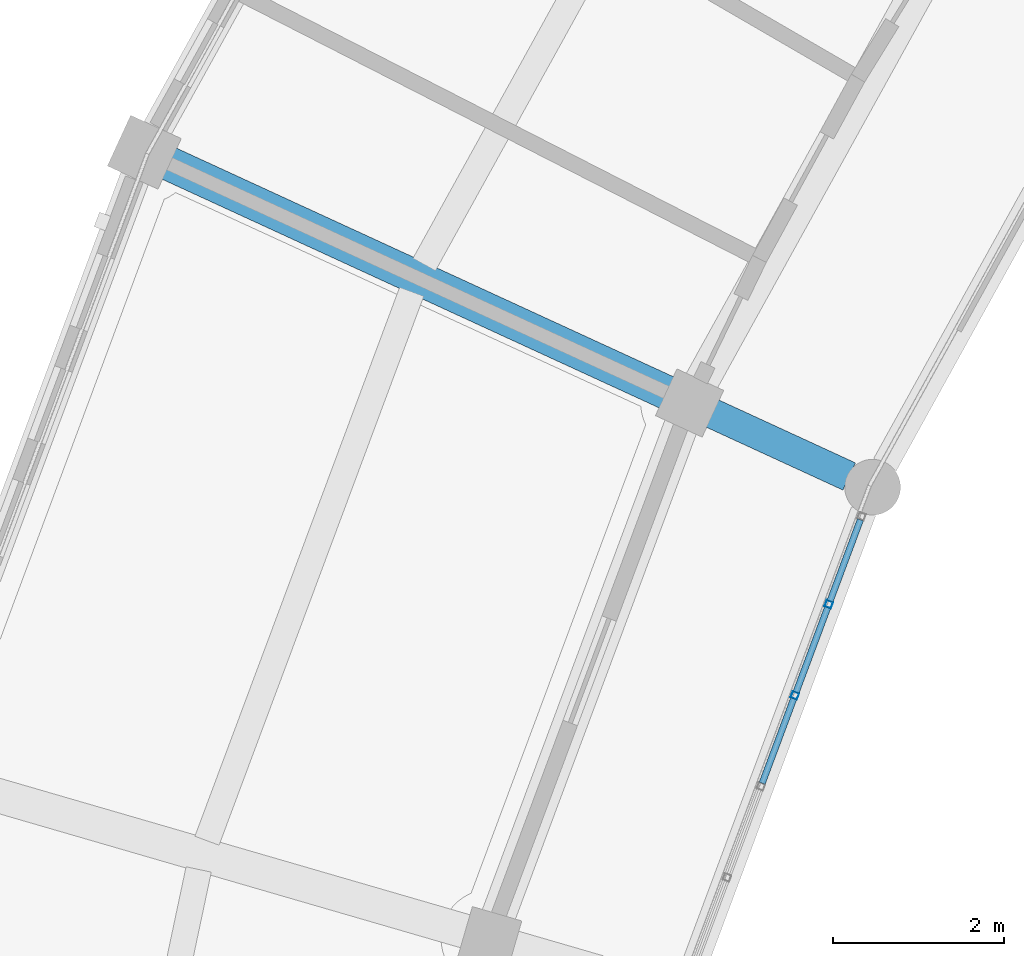
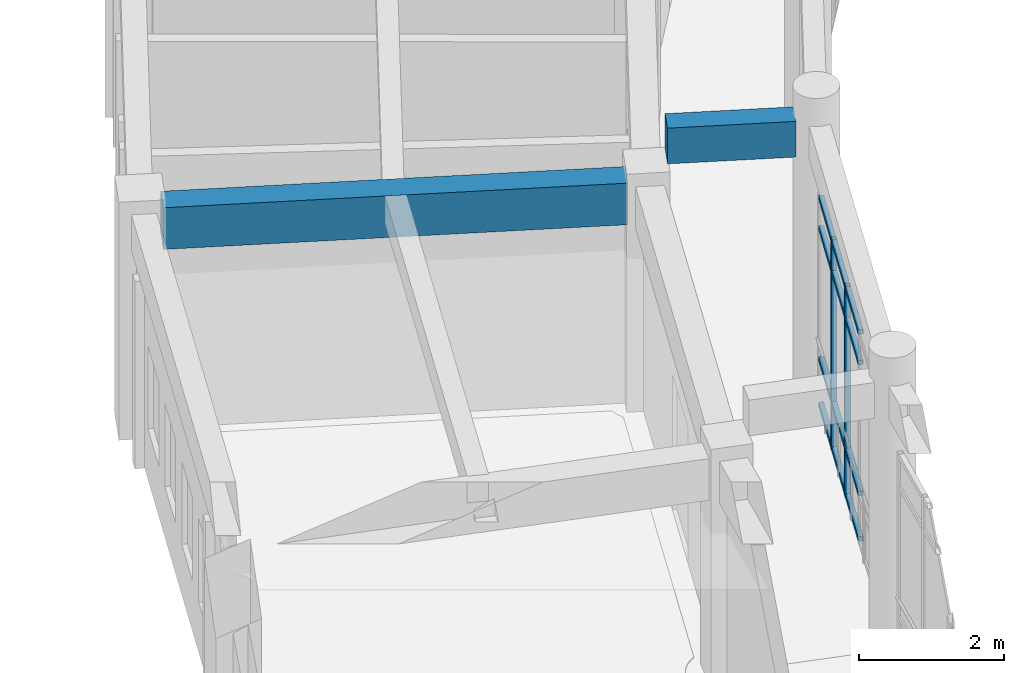
# One storey, part 61 of 159: 14 members, 2 beams, 1 element without a shape of its own.
"""IFC4 building model written with IfcOpenShell, lengths in metres."""

from ifc_helpers import new_model, si_unit, direction, frame, origin, origin_2d, place, context, subcontext, project, spatial, rectangle, hollow_rectangle, extrude, material, material_profile, profile_set, type_object, element, aggregate, save


model = new_model("IFC4")

# Units and contexts
model_context = context("Model", 3, precision=1e-05, world=origin(), true_north=direction((0.0, 1.0)))
body_context = subcontext(model_context, "Body", "Model", "MODEL_VIEW")
ifc_project = project(units=[si_unit("LENGTHUNIT", "METRE"), si_unit("AREAUNIT", "SQUARE_METRE"), si_unit("VOLUMEUNIT", "CUBIC_METRE"), si_unit("PLANEANGLEUNIT", "RADIAN"), si_unit("MASSUNIT", "GRAM", prefix="KILO")], contexts=[model_context])

# Site, building, storey
site_placement = place(None, origin())
site = spatial("IfcSite", under=ifc_project, at=site_placement, CompositionType="ELEMENT")
building_placement = place(site_placement, origin())
building = spatial("IfcBuilding", under=site, at=building_placement, Name="Celadon Cloister-Ring School", CompositionType="ELEMENT")
storey_placement = place(building_placement, frame((0.0, 0.0, 4.5)))
storey = spatial("IfcBuildingStorey", under=building, at=storey_placement, Name="L01", CompositionType="ELEMENT", Elevation=4.5)

# Beam
ifc_material_1 = material(Name="Concrete C35/45", Category="concrete")
ifc_material_profile_1 = material_profile(ifc_material_1, rectangle(XDim=0.35009765625, YDim=0.60009765625, at=origin_2d()), Name="RC350X600")
ifc_profile_set_1 = profile_set([ifc_material_profile_1], Name="Concrete C35/45")
beam_type_1 = type_object("IfcBeamType", Name="BT-02", PredefinedType="BEAM", material=ifc_profile_set_1)
beam_1_placement = place(storey_placement, frame((46.365966796875, 77.68603515625, 4.35009765625), z_axis=(0.908405818114, -0.418089547365, 0.0), x_axis=(0.418089547365, 0.908405818114, 0.0)))
element("IfcBeam", 1, at=beam_1_placement, inside=storey, type_object=beam_type_1, Name="Beam 0208", PredefinedType="BEAM", context=body_context, shape_type="SweptSolid", body=[
    extrude(rectangle(XDim=0.35009765625, YDim=0.60009765625, at=origin_2d()), origin(), (0.0, 0.0, 1.0), 1.774658203125),
])

# Curtain wall, members
ifc_material_2 = material(Name="Aluminium EN AW-6063 T6", Category="aluminium")
curtain_wall_type = type_object("IfcCurtainWallType", Name="CW-01", PredefinedType="USERDEFINED", material=ifc_material_2)
curtain_wall_placement = place(storey_placement, origin())
curtain_wall = element("IfcCurtainWall", 2, at=curtain_wall_placement, inside=storey, type_object=curtain_wall_type, Name="Curtain Wall 0023", ObjectType="CURTAIN WALL", PredefinedType="USERDEFINED")
ifc_material_3 = material(Name="Aluminium EN AW-6063 T6", Category="aluminium")
ifc_material_profile_2 = material_profile(ifc_material_3, hollow_rectangle(XDim=0.080078125, YDim=0.080078125, WallThickness=0.00390625, at=origin_2d()), Name="RHS80X80X4")
ifc_profile_set_2 = profile_set([ifc_material_profile_2], Name="Aluminium EN AW-6063 T6")
member_type_1 = type_object("IfcMemberType", Name="CM-03", PredefinedType="MULLION", material=ifc_profile_set_2)
member_1_placement = place(storey_placement, frame((47.740966796875, 75.45263671875, 0.0), z_axis=(0.0, 0.0, 1.0), x_axis=(0.937023262671, -0.349266954081, 0.0)))
member_1 = element("IfcMember", 3, at=member_1_placement, type_object=member_type_1, Name="CW-01 mullion 2", PredefinedType="MULLION", context=body_context, shape_type="SweptSolid", body=[
    extrude(hollow_rectangle(XDim=0.080078125, YDim=0.080078125, WallThickness=0.00390625, at=origin_2d()), origin(), (0.0, 0.0, 1.0), 3.550048828125),
])
member_2_placement = place(storey_placement, frame((47.344970703125, 74.39013671875, 0.0), z_axis=(0.0, 0.0, 1.0), x_axis=(0.937023262671, -0.349266954081, 0.0)))
member_2 = element("IfcMember", 4, at=member_2_placement, type_object=member_type_1, Name="CW-01 mullion 3", PredefinedType="MULLION", context=body_context, shape_type="SweptSolid", body=[
    extrude(hollow_rectangle(XDim=0.080078125, YDim=0.080078125, WallThickness=0.00390625, at=origin_2d()), origin(), (0.0, 0.0, 1.0), 3.550048828125),
])
ifc_material_4 = material(Name="Aluminium EN AW-6063 T6", Category="aluminium")
ifc_material_profile_3 = material_profile(ifc_material_4, hollow_rectangle(XDim=0.074951171875, YDim=0.074951171875, WallThickness=0.00390625, at=origin_2d()), Name="RHS75X75X4")
ifc_profile_set_3 = profile_set([ifc_material_profile_3], Name="Aluminium EN AW-6063 T6")
member_type_2 = type_object("IfcMemberType", Name="CTM-03", PredefinedType="USERDEFINED", material=ifc_profile_set_3)
member_3_placement = place(storey_placement, frame((48.109130859375, 76.43994140625, 0.03759765625), z_axis=(-0.349407531669, -0.936970851635, 0.0), x_axis=(0.936970851635, -0.349407531669, 0.0)))
member_3 = element("IfcMember", 5, at=member_3_placement, type_object=member_type_2, Name="CW-01 transom 1.1", ObjectType="TRANSOM", PredefinedType="USERDEFINED", context=body_context, shape_type="SweptSolid", body=[
    extrude(hollow_rectangle(XDim=0.074951171875, YDim=0.074951171875, WallThickness=0.00390625, at=origin_2d()), origin(), (0.0, 0.0, 1.0), 1.013916015625),
])
member_4_placement = place(storey_placement, frame((48.109130859375, 76.43994140625, 0.800048828125), z_axis=(-0.349407531669, -0.936970851635, 0.0), x_axis=(0.936970851635, -0.349407531669, 0.0)))
member_4 = element("IfcMember", 6, at=member_4_placement, type_object=member_type_2, Name="CW-01 transom 1.2", ObjectType="TRANSOM", PredefinedType="USERDEFINED", context=body_context, shape_type="SweptSolid", body=[
    extrude(hollow_rectangle(XDim=0.074951171875, YDim=0.074951171875, WallThickness=0.00390625, at=origin_2d()), origin(), (0.0, 0.0, 1.0), 1.013916015625),
])
member_5_placement = place(storey_placement, frame((48.109130859375, 76.43994140625, 3.0), z_axis=(-0.349407531669, -0.936970851635, 0.0), x_axis=(0.936970851635, -0.349407531669, 0.0)))
member_5 = element("IfcMember", 7, at=member_5_placement, type_object=member_type_2, Name="CW-01 transom 1.3", ObjectType="TRANSOM", PredefinedType="USERDEFINED", context=body_context, shape_type="SweptSolid", body=[
    extrude(hollow_rectangle(XDim=0.074951171875, YDim=0.074951171875, WallThickness=0.00390625, at=origin_2d()), origin(), (0.0, 0.0, 1.0), 1.013916015625),
])
member_6_placement = place(storey_placement, frame((48.109130859375, 76.43994140625, 3.512451171875), z_axis=(-0.349407531669, -0.936970851635, 0.0), x_axis=(0.936970851635, -0.349407531669, 0.0)))
member_6 = element("IfcMember", 8, at=member_6_placement, type_object=member_type_2, Name="CW-01 transom 1.4", ObjectType="TRANSOM", PredefinedType="USERDEFINED", context=body_context, shape_type="SweptSolid", body=[
    extrude(hollow_rectangle(XDim=0.074951171875, YDim=0.074951171875, WallThickness=0.00390625, at=origin_2d()), origin(), (0.0, 0.0, 1.0), 1.013916015625),
])
member_7_placement = place(storey_placement, frame((47.72705078125, 75.4150390625, 0.03759765625), z_axis=(-0.349396239885, -0.936975062397, 0.0), x_axis=(0.936975062397, -0.349396239885, 0.0)))
member_7 = element("IfcMember", 9, at=member_7_placement, type_object=member_type_2, Name="CW-01 transom 2.1", ObjectType="TRANSOM", PredefinedType="USERDEFINED", context=body_context, shape_type="SweptSolid", body=[
    extrude(hollow_rectangle(XDim=0.074951171875, YDim=0.074951171875, WallThickness=0.00390625, at=origin_2d()), origin(), (0.0, 0.0, 1.0), 1.0537109375),
])
member_8_placement = place(storey_placement, frame((47.72705078125, 75.4150390625, 0.800048828125), z_axis=(-0.349396239885, -0.936975062397, 0.0), x_axis=(0.936975062397, -0.349396239885, 0.0)))
member_8 = element("IfcMember", 10, at=member_8_placement, type_object=member_type_2, Name="CW-01 transom 2.2", ObjectType="TRANSOM", PredefinedType="USERDEFINED", context=body_context, shape_type="SweptSolid", body=[
    extrude(hollow_rectangle(XDim=0.074951171875, YDim=0.074951171875, WallThickness=0.00390625, at=origin_2d()), origin(), (0.0, 0.0, 1.0), 1.0537109375),
])
member_9_placement = place(storey_placement, frame((47.72705078125, 75.4150390625, 3.0), z_axis=(-0.349396239885, -0.936975062397, 0.0), x_axis=(0.936975062397, -0.349396239885, 0.0)))
member_9 = element("IfcMember", 11, at=member_9_placement, type_object=member_type_2, Name="CW-01 transom 2.3", ObjectType="TRANSOM", PredefinedType="USERDEFINED", context=body_context, shape_type="SweptSolid", body=[
    extrude(hollow_rectangle(XDim=0.074951171875, YDim=0.074951171875, WallThickness=0.00390625, at=origin_2d()), origin(), (0.0, 0.0, 1.0), 1.0537109375),
])
member_10_placement = place(storey_placement, frame((47.72705078125, 75.4150390625, 3.512451171875), z_axis=(-0.349396239885, -0.936975062397, 0.0), x_axis=(0.936975062397, -0.349396239885, 0.0)))
member_10 = element("IfcMember", 12, at=member_10_placement, type_object=member_type_2, Name="CW-01 transom 2.4", ObjectType="TRANSOM", PredefinedType="USERDEFINED", context=body_context, shape_type="SweptSolid", body=[
    extrude(hollow_rectangle(XDim=0.074951171875, YDim=0.074951171875, WallThickness=0.00390625, at=origin_2d()), origin(), (0.0, 0.0, 1.0), 1.0537109375),
])
member_11_placement = place(storey_placement, frame((47.3310546875, 74.352783203125, 0.03759765625), z_axis=(-0.349320403884, -0.937003338004, 0.0), x_axis=(0.937003338004, -0.349320403884, 0.0)))
member_11 = element("IfcMember", 13, at=member_11_placement, type_object=member_type_2, Name="CW-01 transom 3.1", ObjectType="TRANSOM", PredefinedType="USERDEFINED", context=body_context, shape_type="SweptSolid", body=[
    extrude(hollow_rectangle(XDim=0.074951171875, YDim=0.074951171875, WallThickness=0.00390625, at=origin_2d()), origin(), (0.0, 0.0, 1.0), 1.053955078125),
])
member_12_placement = place(storey_placement, frame((47.3310546875, 74.352783203125, 0.800048828125), z_axis=(-0.349320403884, -0.937003338004, 0.0), x_axis=(0.937003338004, -0.349320403884, 0.0)))
member_12 = element("IfcMember", 14, at=member_12_placement, type_object=member_type_2, Name="CW-01 transom 3.2", ObjectType="TRANSOM", PredefinedType="USERDEFINED", context=body_context, shape_type="SweptSolid", body=[
    extrude(hollow_rectangle(XDim=0.074951171875, YDim=0.074951171875, WallThickness=0.00390625, at=origin_2d()), origin(), (0.0, 0.0, 1.0), 1.053955078125),
])
member_13_placement = place(storey_placement, frame((47.3310546875, 74.352783203125, 3.0), z_axis=(-0.349320403884, -0.937003338004, 0.0), x_axis=(0.937003338004, -0.349320403884, 0.0)))
member_13 = element("IfcMember", 15, at=member_13_placement, type_object=member_type_2, Name="CW-01 transom 3.3", ObjectType="TRANSOM", PredefinedType="USERDEFINED", context=body_context, shape_type="SweptSolid", body=[
    extrude(hollow_rectangle(XDim=0.074951171875, YDim=0.074951171875, WallThickness=0.00390625, at=origin_2d()), origin(), (0.0, 0.0, 1.0), 1.053955078125),
])
member_14_placement = place(storey_placement, frame((47.3310546875, 74.352783203125, 3.512451171875), z_axis=(-0.349320403884, -0.937003338004, 0.0), x_axis=(0.937003338004, -0.349320403884, 0.0)))
member_14 = element("IfcMember", 16, at=member_14_placement, type_object=member_type_2, Name="CW-01 transom 3.4", ObjectType="TRANSOM", PredefinedType="USERDEFINED", context=body_context, shape_type="SweptSolid", body=[
    extrude(hollow_rectangle(XDim=0.074951171875, YDim=0.074951171875, WallThickness=0.00390625, at=origin_2d()), origin(), (0.0, 0.0, 1.0), 1.053955078125),
])
aggregate(curtain_wall, [member_1, member_2, member_3, member_4, member_5, member_6, member_7, member_8, member_9, member_10, member_11, member_12, member_13, member_14])

# Beam
ifc_material_5 = material(Name="Concrete C35/45", Category="concrete")
ifc_material_profile_4 = material_profile(ifc_material_5, rectangle(XDim=0.39990234375, YDim=0.699951171875, at=origin_2d()), Name="RC400X700")
ifc_profile_set_4 = profile_set([ifc_material_profile_4], Name="Concrete C35/45")
beam_type_2 = type_object("IfcBeamType", Name="GT-03", PredefinedType="USERDEFINED", material=ifc_profile_set_4)
beam_2_placement = place(storey_placement, frame((40.029052734375, 80.60107421875, 3.429931640625), z_axis=(0.90848583601, -0.417915644322, 0.0), x_axis=(0.417915644322, 0.90848583601, 0.0)))
element("IfcBeam", 17, at=beam_2_placement, inside=storey, type_object=beam_type_2, Name="Beam 0207", ObjectType="GIRDER", PredefinedType="USERDEFINED", context=body_context, shape_type="SweptSolid", body=[
    extrude(rectangle(XDim=0.39990234375, YDim=0.699951171875, at=origin_2d()), origin(), (0.0, 0.0, 1.0), 6.4248046875),
])

save(model, "model.ifc")
